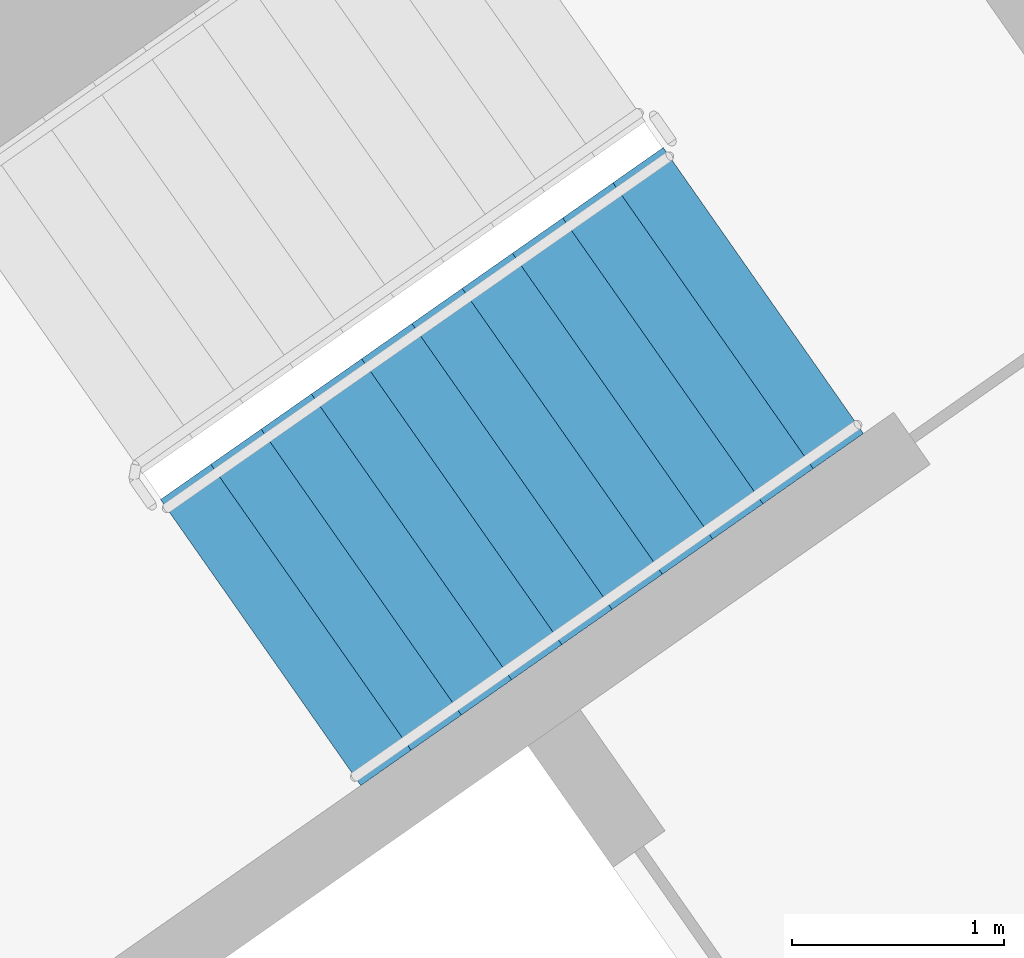
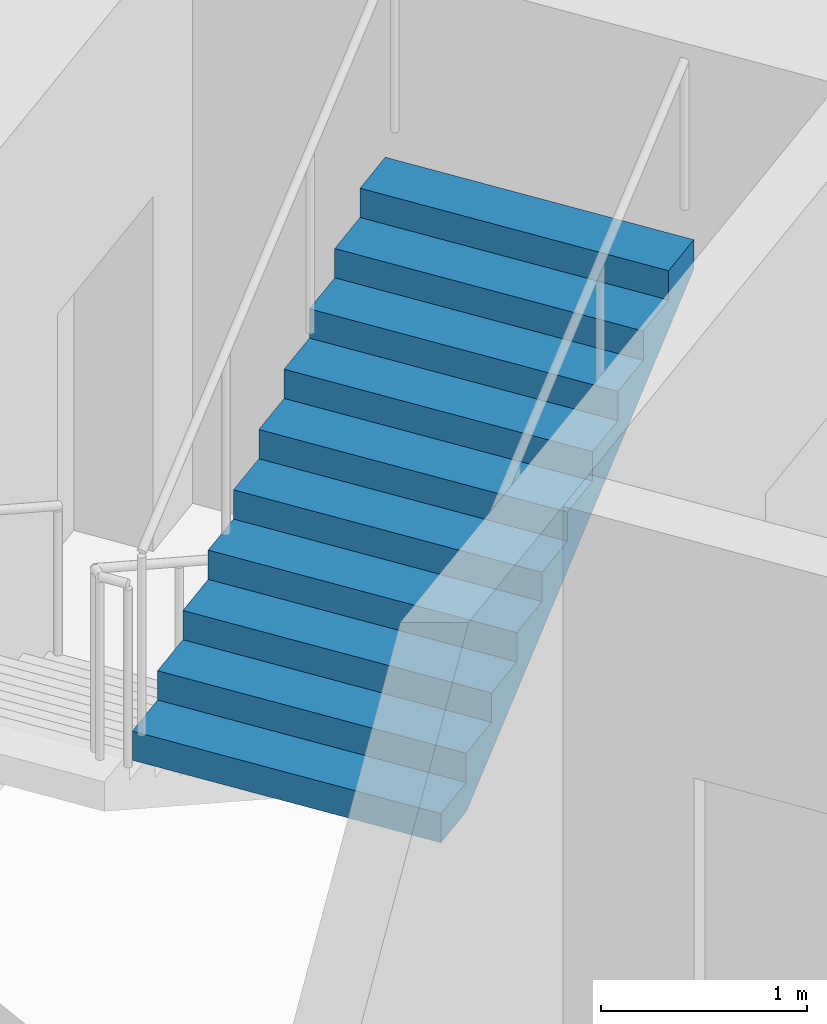
# One storey, part 18 of 30: 1 stair flight, 1 element without a shape of its own.
"""IFC4 building model written with IfcOpenShell, lengths in metres."""

from ifc_helpers import new_model, si_unit, direction, frame, origin, place, context, subcontext, project, spatial, faceted_brep, material, type_object, element, aggregate, save


model = new_model("IFC4")

# Units and contexts
model_context = context("Model", 3, precision=1e-05, world=origin(), true_north=direction((0.0, 1.0)))
body_context = subcontext(model_context, "Body", "Model", "MODEL_VIEW")
ifc_project = project(units=[si_unit("LENGTHUNIT", "METRE"), si_unit("AREAUNIT", "SQUARE_METRE"), si_unit("VOLUMEUNIT", "CUBIC_METRE"), si_unit("PLANEANGLEUNIT", "RADIAN"), si_unit("MASSUNIT", "GRAM", prefix="KILO")], contexts=[model_context])

# Site, building, storey
site_placement = place(None, origin())
site = spatial("IfcSite", under=ifc_project, at=site_placement, CompositionType="ELEMENT")
building_placement = place(site_placement, origin())
building = spatial("IfcBuilding", under=site, at=building_placement, Name="Qamariyya Broadcast Tower", CompositionType="ELEMENT")
storey_placement = place(building_placement, frame((0.0, 0.0, 125.300048828125)))
storey = spatial("IfcBuildingStorey", under=building, at=storey_placement, Name="L28", CompositionType="ELEMENT", Elevation=125.300048828125)

# Stair, stair flight
ifc_material = material(Name="Concrete C50/60", Category="concrete")
stair_type = type_object("IfcStairType", Name="Exit stair 22 risers of 173 mm", PredefinedType="HALF_TURN_STAIR", material=ifc_material)
stair_placement = place(storey_placement, origin())
stair = element("IfcStair", 1, at=stair_placement, inside=storey, type_object=stair_type, Name="L28 Stair E2", PredefinedType="HALF_TURN_STAIR")
stair_flight_type = type_object("IfcStairFlightType", Name="Exit stair flight 11 risers of 173 mm", PredefinedType="STRAIGHT", material=ifc_material)
stair_flight_placement = place(storey_placement, frame((39.215576171875, -50.822998046875, 1.89990234375), z_axis=(0.0, 0.0, 1.0), x_axis=(0.819152044289, 0.573576436351, 0.0)))
stair_flight = element("IfcStairFlight", 2, at=stair_flight_placement, type_object=stair_flight_type, Name="ST-E2 flight 2", NumberOfRisers=11, NumberOfTreads=10, PredefinedType="STRAIGHT", RiserHeight=0.172727273, TreadLength=0.29, context=body_context, shape_type="Brep", body=[
    faceted_brep([(0.0, 0.824951171875, 0.0), (0.0, 0.824951171875, 0.172607421875), (0.2900390625, 0.824951171875, 0.172607421875), (0.2900390625, 0.824951171875, 0.345458984375), (0.580078125, 0.824951171875, 0.345458984375), (0.580078125, 0.824951171875, 0.51806640625), (0.8701171875, 0.824951171875, 0.51806640625), (0.8701171875, 0.824951171875, 0.69091796875), (1.159912109375, 0.824951171875, 0.69091796875), (1.159912109375, 0.824951171875, 0.863525390625), (1.449951171875, 0.824951171875, 0.863525390625), (1.449951171875, 0.824951171875, 1.036376953125), (1.739990234375, 0.824951171875, 1.036376953125), (1.739990234375, 0.824951171875, 1.208984375), (2.030029296875, 0.824951171875, 1.208984375), (2.030029296875, 0.824951171875, 1.3818359375), (2.320068359375, 0.824951171875, 1.3818359375), (2.320068359375, 0.824951171875, 1.554443359375), (2.610107421875, 0.824951171875, 1.554443359375), (2.610107421875, 0.824951171875, 1.727294921875), (2.89990234375, 0.824951171875, 1.727294921875), (2.89990234375, 0.824951171875, 1.552734375), (0.29296875, 0.824951171875, 0.0), (0.29296875, -0.824951171875, 0.0), (2.89990234375, -0.824951171875, 1.552734375), (2.89990234375, -0.824951171875, 1.727294921875), (2.610107421875, -0.824951171875, 1.727294921875), (2.610107421875, -0.824951171875, 1.554443359375), (2.320068359375, -0.824951171875, 1.554443359375), (2.320068359375, -0.824951171875, 1.3818359375), (2.030029296875, -0.824951171875, 1.3818359375), (2.030029296875, -0.824951171875, 1.208984375), (1.739990234375, -0.824951171875, 1.208984375), (1.739990234375, -0.824951171875, 1.036376953125), (1.449951171875, -0.824951171875, 1.036376953125), (1.449951171875, -0.824951171875, 0.863525390625), (1.159912109375, -0.824951171875, 0.863525390625), (1.159912109375, -0.824951171875, 0.69091796875), (0.8701171875, -0.824951171875, 0.69091796875), (0.8701171875, -0.824951171875, 0.51806640625), (0.580078125, -0.824951171875, 0.51806640625), (0.580078125, -0.824951171875, 0.345458984375), (0.2900390625, -0.824951171875, 0.345458984375), (0.2900390625, -0.824951171875, 0.172607421875), (0.0, -0.824951171875, 0.172607421875), (0.0, -0.824951171875, 0.0), (0.0, 0.10009765625, 0.0), (0.0, 0.086669921875, 0.0), (0.0, 0.0732421875, 0.0), (0.0, 0.06005859375, 0.0), (0.0, 0.046630859375, 0.0), (0.0, 0.033447265625, 0.0), (0.0, 0.02001953125, 0.0), (0.0, 0.006591796875, 0.0), (0.0, -0.006591796875, 0.0), (0.0, -0.02001953125, 0.0), (0.0, -0.033447265625, 0.0), (0.0, -0.046630859375, 0.0), (0.0, -0.06005859375, 0.0), (0.0, -0.0732421875, 0.0), (0.0, -0.086669921875, 0.0), (0.0, -0.10009765625, 0.0), (0.0, -0.10009765625, 0.172607421875), (0.0, -0.086669921875, 0.172607421875), (0.0, -0.0732421875, 0.172607421875), (0.0, -0.06005859375, 0.172607421875), (0.0, -0.046630859375, 0.172607421875), (0.0, -0.033447265625, 0.172607421875), (0.0, -0.02001953125, 0.172607421875), (0.0, -0.006591796875, 0.172607421875), (0.0, 0.006591796875, 0.172607421875), (0.0, 0.02001953125, 0.172607421875), (0.0, 0.033447265625, 0.172607421875), (0.0, 0.046630859375, 0.172607421875), (0.0, 0.06005859375, 0.172607421875), (0.0, 0.0732421875, 0.172607421875), (0.0, 0.086669921875, 0.172607421875), (0.0, 0.10009765625, 0.172607421875), (0.2900390625, -0.10009765625, 0.172607421875), (0.2900390625, -0.086669921875, 0.172607421875), (0.2900390625, -0.0732421875, 0.172607421875), (0.2900390625, -0.06005859375, 0.172607421875), (0.2900390625, -0.046630859375, 0.172607421875), (0.2900390625, -0.033447265625, 0.172607421875), (0.2900390625, -0.02001953125, 0.172607421875), (0.2900390625, -0.006591796875, 0.172607421875), (0.2900390625, 0.006591796875, 0.172607421875), (0.2900390625, 0.02001953125, 0.172607421875), (0.2900390625, 0.033447265625, 0.172607421875), (0.2900390625, 0.046630859375, 0.172607421875), (0.2900390625, 0.06005859375, 0.172607421875), (0.2900390625, 0.0732421875, 0.172607421875), (0.2900390625, 0.086669921875, 0.172607421875), (0.2900390625, 0.10009765625, 0.172607421875), (0.2900390625, -0.10009765625, 0.345458984375), (0.2900390625, -0.086669921875, 0.345458984375), (0.2900390625, -0.0732421875, 0.345458984375), (0.2900390625, -0.06005859375, 0.345458984375), (0.2900390625, -0.046630859375, 0.345458984375), (0.2900390625, -0.033447265625, 0.345458984375), (0.2900390625, -0.02001953125, 0.345458984375), (0.2900390625, -0.006591796875, 0.345458984375), (0.2900390625, 0.006591796875, 0.345458984375), (0.2900390625, 0.02001953125, 0.345458984375), (0.2900390625, 0.033447265625, 0.345458984375), (0.2900390625, 0.046630859375, 0.345458984375), (0.2900390625, 0.06005859375, 0.345458984375), (0.2900390625, 0.0732421875, 0.345458984375), (0.2900390625, 0.086669921875, 0.345458984375), (0.2900390625, 0.10009765625, 0.345458984375), (0.580078125, -0.10009765625, 0.345458984375), (0.580078125, -0.086669921875, 0.345458984375), (0.580078125, -0.0732421875, 0.345458984375), (0.580078125, -0.06005859375, 0.345458984375), (0.580078125, -0.046630859375, 0.345458984375), (0.580078125, -0.033447265625, 0.345458984375), (0.580078125, -0.02001953125, 0.345458984375), (0.580078125, -0.006591796875, 0.345458984375), (0.580078125, 0.006591796875, 0.345458984375), (0.580078125, 0.02001953125, 0.345458984375), (0.580078125, 0.033447265625, 0.345458984375), (0.580078125, 0.046630859375, 0.345458984375), (0.580078125, 0.06005859375, 0.345458984375), (0.580078125, 0.0732421875, 0.345458984375), (0.580078125, 0.086669921875, 0.345458984375), (0.580078125, 0.10009765625, 0.345458984375), (0.580078125, -0.10009765625, 0.51806640625), (0.580078125, -0.086669921875, 0.51806640625), (0.580078125, -0.0732421875, 0.51806640625), (0.580078125, -0.06005859375, 0.51806640625), (0.580078125, -0.046630859375, 0.51806640625), (0.580078125, -0.033447265625, 0.51806640625), (0.580078125, -0.02001953125, 0.51806640625), (0.580078125, -0.006591796875, 0.51806640625), (0.580078125, 0.006591796875, 0.51806640625), (0.580078125, 0.02001953125, 0.51806640625), (0.580078125, 0.033447265625, 0.51806640625), (0.580078125, 0.046630859375, 0.51806640625), (0.580078125, 0.06005859375, 0.51806640625), (0.580078125, 0.0732421875, 0.51806640625), (0.580078125, 0.086669921875, 0.51806640625), (0.580078125, 0.10009765625, 0.51806640625), (0.8701171875, -0.10009765625, 0.51806640625), (0.8701171875, -0.086669921875, 0.51806640625), (0.8701171875, -0.0732421875, 0.51806640625), (0.8701171875, -0.06005859375, 0.51806640625), (0.8701171875, -0.046630859375, 0.51806640625), (0.8701171875, -0.033447265625, 0.51806640625), (0.8701171875, -0.02001953125, 0.51806640625), (0.8701171875, -0.006591796875, 0.51806640625), (0.8701171875, 0.006591796875, 0.51806640625), (0.8701171875, 0.02001953125, 0.51806640625), (0.8701171875, 0.033447265625, 0.51806640625), (0.8701171875, 0.046630859375, 0.51806640625), (0.8701171875, 0.06005859375, 0.51806640625), (0.8701171875, 0.0732421875, 0.51806640625), (0.8701171875, 0.086669921875, 0.51806640625), (0.8701171875, 0.10009765625, 0.51806640625), (0.8701171875, -0.10009765625, 0.69091796875), (0.8701171875, -0.086669921875, 0.69091796875), (0.8701171875, -0.0732421875, 0.69091796875), (0.8701171875, -0.06005859375, 0.69091796875), (0.8701171875, -0.046630859375, 0.69091796875), (0.8701171875, -0.033447265625, 0.69091796875), (0.8701171875, -0.02001953125, 0.69091796875), (0.8701171875, -0.006591796875, 0.69091796875), (0.8701171875, 0.006591796875, 0.69091796875), (0.8701171875, 0.02001953125, 0.69091796875), (0.8701171875, 0.033447265625, 0.69091796875), (0.8701171875, 0.046630859375, 0.69091796875), (0.8701171875, 0.06005859375, 0.69091796875), (0.8701171875, 0.0732421875, 0.69091796875), (0.8701171875, 0.086669921875, 0.69091796875), (0.8701171875, 0.10009765625, 0.69091796875), (1.159912109375, -0.10009765625, 0.69091796875), (1.159912109375, -0.086669921875, 0.69091796875), (1.159912109375, -0.0732421875, 0.69091796875), (1.159912109375, -0.06005859375, 0.69091796875), (1.159912109375, -0.046630859375, 0.69091796875), (1.159912109375, -0.033447265625, 0.69091796875), (1.159912109375, -0.02001953125, 0.69091796875), (1.159912109375, -0.006591796875, 0.69091796875), (1.159912109375, 0.006591796875, 0.69091796875), (1.159912109375, 0.02001953125, 0.69091796875), (1.159912109375, 0.033447265625, 0.69091796875), (1.159912109375, 0.046630859375, 0.69091796875), (1.159912109375, 0.06005859375, 0.69091796875), (1.159912109375, 0.0732421875, 0.69091796875), (1.159912109375, 0.086669921875, 0.69091796875), (1.159912109375, 0.10009765625, 0.69091796875), (1.159912109375, -0.10009765625, 0.863525390625), (1.159912109375, -0.086669921875, 0.863525390625), (1.159912109375, -0.0732421875, 0.863525390625), (1.159912109375, -0.06005859375, 0.863525390625), (1.159912109375, -0.046630859375, 0.863525390625), (1.159912109375, -0.033447265625, 0.863525390625), (1.159912109375, -0.02001953125, 0.863525390625), (1.159912109375, -0.006591796875, 0.863525390625), (1.159912109375, 0.006591796875, 0.863525390625), (1.159912109375, 0.02001953125, 0.863525390625), (1.159912109375, 0.033447265625, 0.863525390625), (1.159912109375, 0.046630859375, 0.863525390625), (1.159912109375, 0.06005859375, 0.863525390625), (1.159912109375, 0.0732421875, 0.863525390625), (1.159912109375, 0.086669921875, 0.863525390625), (1.159912109375, 0.10009765625, 0.863525390625), (1.449951171875, -0.10009765625, 0.863525390625), (1.449951171875, -0.086669921875, 0.863525390625), (1.449951171875, -0.0732421875, 0.863525390625), (1.449951171875, -0.06005859375, 0.863525390625), (1.449951171875, -0.046630859375, 0.863525390625), (1.449951171875, -0.033447265625, 0.863525390625), (1.449951171875, -0.02001953125, 0.863525390625), (1.449951171875, -0.006591796875, 0.863525390625), (1.449951171875, 0.006591796875, 0.863525390625), (1.449951171875, 0.02001953125, 0.863525390625), (1.449951171875, 0.033447265625, 0.863525390625), (1.449951171875, 0.046630859375, 0.863525390625), (1.449951171875, 0.06005859375, 0.863525390625), (1.449951171875, 0.0732421875, 0.863525390625), (1.449951171875, 0.086669921875, 0.863525390625), (1.449951171875, 0.10009765625, 0.863525390625), (1.449951171875, -0.10009765625, 1.036376953125), (1.449951171875, -0.086669921875, 1.036376953125), (1.449951171875, -0.0732421875, 1.036376953125), (1.449951171875, -0.06005859375, 1.036376953125), (1.449951171875, -0.046630859375, 1.036376953125), (1.449951171875, -0.033447265625, 1.036376953125), (1.449951171875, -0.02001953125, 1.036376953125), (1.449951171875, -0.006591796875, 1.036376953125), (1.449951171875, 0.006591796875, 1.036376953125), (1.449951171875, 0.02001953125, 1.036376953125), (1.449951171875, 0.033447265625, 1.036376953125), (1.449951171875, 0.046630859375, 1.036376953125), (1.449951171875, 0.06005859375, 1.036376953125), (1.449951171875, 0.0732421875, 1.036376953125), (1.449951171875, 0.086669921875, 1.036376953125), (1.449951171875, 0.10009765625, 1.036376953125), (1.739990234375, -0.10009765625, 1.036376953125), (1.739990234375, -0.086669921875, 1.036376953125), (1.739990234375, -0.0732421875, 1.036376953125), (1.739990234375, -0.06005859375, 1.036376953125), (1.739990234375, -0.046630859375, 1.036376953125), (1.739990234375, -0.033447265625, 1.036376953125), (1.739990234375, -0.02001953125, 1.036376953125), (1.739990234375, -0.006591796875, 1.036376953125), (1.739990234375, 0.006591796875, 1.036376953125), (1.739990234375, 0.02001953125, 1.036376953125), (1.739990234375, 0.033447265625, 1.036376953125), (1.739990234375, 0.046630859375, 1.036376953125), (1.739990234375, 0.06005859375, 1.036376953125), (1.739990234375, 0.0732421875, 1.036376953125), (1.739990234375, 0.086669921875, 1.036376953125), (1.739990234375, 0.10009765625, 1.036376953125), (1.739990234375, -0.10009765625, 1.208984375), (1.739990234375, -0.086669921875, 1.208984375), (1.739990234375, -0.0732421875, 1.208984375), (1.739990234375, -0.06005859375, 1.208984375), (1.739990234375, -0.046630859375, 1.208984375), (1.739990234375, -0.033447265625, 1.208984375), (1.739990234375, -0.02001953125, 1.208984375), (1.739990234375, -0.006591796875, 1.208984375), (1.739990234375, 0.006591796875, 1.208984375), (1.739990234375, 0.02001953125, 1.208984375), (1.739990234375, 0.033447265625, 1.208984375), (1.739990234375, 0.046630859375, 1.208984375), (1.739990234375, 0.06005859375, 1.208984375), (1.739990234375, 0.0732421875, 1.208984375), (1.739990234375, 0.086669921875, 1.208984375), (1.739990234375, 0.10009765625, 1.208984375), (2.030029296875, -0.10009765625, 1.208984375), (2.030029296875, -0.086669921875, 1.208984375), (2.030029296875, -0.0732421875, 1.208984375), (2.030029296875, -0.06005859375, 1.208984375), (2.030029296875, -0.046630859375, 1.208984375), (2.030029296875, -0.033447265625, 1.208984375), (2.030029296875, -0.02001953125, 1.208984375), (2.030029296875, -0.006591796875, 1.208984375), (2.030029296875, 0.006591796875, 1.208984375), (2.030029296875, 0.02001953125, 1.208984375), (2.030029296875, 0.033447265625, 1.208984375), (2.030029296875, 0.046630859375, 1.208984375), (2.030029296875, 0.06005859375, 1.208984375), (2.030029296875, 0.0732421875, 1.208984375), (2.030029296875, 0.086669921875, 1.208984375), (2.030029296875, 0.10009765625, 1.208984375), (2.030029296875, -0.10009765625, 1.3818359375), (2.030029296875, -0.086669921875, 1.3818359375), (2.030029296875, -0.0732421875, 1.3818359375), (2.030029296875, -0.06005859375, 1.3818359375), (2.030029296875, -0.046630859375, 1.3818359375), (2.030029296875, -0.033447265625, 1.3818359375), (2.030029296875, -0.02001953125, 1.3818359375), (2.030029296875, -0.006591796875, 1.3818359375), (2.030029296875, 0.006591796875, 1.3818359375), (2.030029296875, 0.02001953125, 1.3818359375), (2.030029296875, 0.033447265625, 1.3818359375), (2.030029296875, 0.046630859375, 1.3818359375), (2.030029296875, 0.06005859375, 1.3818359375), (2.030029296875, 0.0732421875, 1.3818359375), (2.030029296875, 0.086669921875, 1.3818359375), (2.030029296875, 0.10009765625, 1.3818359375), (2.320068359375, -0.10009765625, 1.3818359375), (2.320068359375, -0.086669921875, 1.3818359375), (2.320068359375, -0.0732421875, 1.3818359375), (2.320068359375, -0.06005859375, 1.3818359375), (2.320068359375, -0.046630859375, 1.3818359375), (2.320068359375, -0.033447265625, 1.3818359375), (2.320068359375, -0.02001953125, 1.3818359375), (2.320068359375, -0.006591796875, 1.3818359375), (2.320068359375, 0.006591796875, 1.3818359375), (2.320068359375, 0.02001953125, 1.3818359375), (2.320068359375, 0.033447265625, 1.3818359375), (2.320068359375, 0.046630859375, 1.3818359375), (2.320068359375, 0.06005859375, 1.3818359375), (2.320068359375, 0.0732421875, 1.3818359375), (2.320068359375, 0.086669921875, 1.3818359375), (2.320068359375, 0.10009765625, 1.3818359375), (2.320068359375, -0.10009765625, 1.554443359375), (2.320068359375, -0.086669921875, 1.554443359375), (2.320068359375, -0.0732421875, 1.554443359375), (2.320068359375, -0.06005859375, 1.554443359375), (2.320068359375, -0.046630859375, 1.554443359375), (2.320068359375, -0.033447265625, 1.554443359375), (2.320068359375, -0.02001953125, 1.554443359375), (2.320068359375, -0.006591796875, 1.554443359375), (2.320068359375, 0.006591796875, 1.554443359375), (2.320068359375, 0.02001953125, 1.554443359375), (2.320068359375, 0.033447265625, 1.554443359375), (2.320068359375, 0.046630859375, 1.554443359375), (2.320068359375, 0.06005859375, 1.554443359375), (2.320068359375, 0.0732421875, 1.554443359375), (2.320068359375, 0.086669921875, 1.554443359375), (2.320068359375, 0.10009765625, 1.554443359375), (2.610107421875, -0.10009765625, 1.554443359375), (2.610107421875, -0.086669921875, 1.554443359375), (2.610107421875, -0.0732421875, 1.554443359375), (2.610107421875, -0.06005859375, 1.554443359375), (2.610107421875, -0.046630859375, 1.554443359375), (2.610107421875, -0.033447265625, 1.554443359375), (2.610107421875, -0.02001953125, 1.554443359375), (2.610107421875, -0.006591796875, 1.554443359375), (2.610107421875, 0.006591796875, 1.554443359375), (2.610107421875, 0.02001953125, 1.554443359375), (2.610107421875, 0.033447265625, 1.554443359375), (2.610107421875, 0.046630859375, 1.554443359375), (2.610107421875, 0.06005859375, 1.554443359375), (2.610107421875, 0.0732421875, 1.554443359375), (2.610107421875, 0.086669921875, 1.554443359375), (2.610107421875, 0.10009765625, 1.554443359375), (2.610107421875, -0.10009765625, 1.727294921875), (2.610107421875, -0.086669921875, 1.727294921875), (2.610107421875, -0.0732421875, 1.727294921875), (2.610107421875, -0.06005859375, 1.727294921875), (2.610107421875, -0.046630859375, 1.727294921875), (2.610107421875, -0.033447265625, 1.727294921875), (2.610107421875, -0.02001953125, 1.727294921875), (2.610107421875, -0.006591796875, 1.727294921875), (2.610107421875, 0.006591796875, 1.727294921875), (2.610107421875, 0.02001953125, 1.727294921875), (2.610107421875, 0.033447265625, 1.727294921875), (2.610107421875, 0.046630859375, 1.727294921875), (2.610107421875, 0.06005859375, 1.727294921875), (2.610107421875, 0.0732421875, 1.727294921875), (2.610107421875, 0.086669921875, 1.727294921875), (2.610107421875, 0.10009765625, 1.727294921875), (2.89990234375, -0.10009765625, 1.727294921875), (2.89990234375, -0.086669921875, 1.727294921875), (2.89990234375, -0.0732421875, 1.727294921875), (2.89990234375, -0.06005859375, 1.727294921875), (2.89990234375, -0.046630859375, 1.727294921875), (2.89990234375, -0.033447265625, 1.727294921875), (2.89990234375, -0.02001953125, 1.727294921875), (2.89990234375, -0.006591796875, 1.727294921875), (2.89990234375, 0.006591796875, 1.727294921875), (2.89990234375, 0.02001953125, 1.727294921875), (2.89990234375, 0.033447265625, 1.727294921875), (2.89990234375, 0.046630859375, 1.727294921875), (2.89990234375, 0.06005859375, 1.727294921875), (2.89990234375, 0.0732421875, 1.727294921875), (2.89990234375, 0.086669921875, 1.727294921875), (2.89990234375, 0.10009765625, 1.727294921875), (2.89990234375, -0.10009765625, 1.552734375), (2.89990234375, -0.086669921875, 1.552734375), (2.89990234375, -0.0732421875, 1.552734375), (2.89990234375, -0.06005859375, 1.552734375), (2.89990234375, -0.046630859375, 1.552734375), (2.89990234375, -0.033447265625, 1.552734375), (2.89990234375, -0.02001953125, 1.552734375), (2.89990234375, -0.006591796875, 1.552734375), (2.89990234375, 0.006591796875, 1.552734375), (2.89990234375, 0.02001953125, 1.552734375), (2.89990234375, 0.033447265625, 1.552734375), (2.89990234375, 0.046630859375, 1.552734375), (2.89990234375, 0.06005859375, 1.552734375), (2.89990234375, 0.0732421875, 1.552734375), (2.89990234375, 0.086669921875, 1.552734375), (2.89990234375, 0.10009765625, 1.552734375), (0.29296875, -0.10009765625, 0.0), (0.29296875, -0.086669921875, 0.0), (0.29296875, -0.0732421875, 0.0), (0.29296875, -0.06005859375, 0.0), (0.29296875, -0.046630859375, 0.0), (0.29296875, -0.033447265625, 0.0), (0.29296875, -0.02001953125, 0.0), (0.29296875, -0.006591796875, 0.0), (0.29296875, 0.006591796875, 0.0), (0.29296875, 0.02001953125, 0.0), (0.29296875, 0.033447265625, 0.0), (0.29296875, 0.046630859375, 0.0), (0.29296875, 0.06005859375, 0.0), (0.29296875, 0.0732421875, 0.0), (0.29296875, 0.086669921875, 0.0), (0.29296875, 0.10009765625, 0.0)], [[[0, 1, 2, 3, 4, 5, 6, 7, 8, 9, 10, 11, 12, 13, 14, 15, 16, 17, 18, 19, 20, 21, 22]], [[23, 24, 25, 26, 27, 28, 29, 30, 31, 32, 33, 34, 35, 36, 37, 38, 39, 40, 41, 42, 43, 44, 45]], [[0, 46, 47, 48, 49, 50, 51, 52, 53, 54, 55, 56, 57, 58, 59, 60, 61, 45, 44, 62, 63, 64, 65, 66, 67, 68, 69, 70, 71, 72, 73, 74, 75, 76, 77, 1]], [[1, 77, 76, 75, 74, 73, 72, 71, 70, 69, 68, 67, 66, 65, 64, 63, 62, 44, 43, 78, 79, 80, 81, 82, 83, 84, 85, 86, 87, 88, 89, 90, 91, 92, 93, 2]], [[2, 93, 92, 91, 90, 89, 88, 87, 86, 85, 84, 83, 82, 81, 80, 79, 78, 43, 42, 94, 95, 96, 97, 98, 99, 100, 101, 102, 103, 104, 105, 106, 107, 108, 109, 3]], [[3, 109, 108, 107, 106, 105, 104, 103, 102, 101, 100, 99, 98, 97, 96, 95, 94, 42, 41, 110, 111, 112, 113, 114, 115, 116, 117, 118, 119, 120, 121, 122, 123, 124, 125, 4]], [[4, 125, 124, 123, 122, 121, 120, 119, 118, 117, 116, 115, 114, 113, 112, 111, 110, 41, 40, 126, 127, 128, 129, 130, 131, 132, 133, 134, 135, 136, 137, 138, 139, 140, 141, 5]], [[5, 141, 140, 139, 138, 137, 136, 135, 134, 133, 132, 131, 130, 129, 128, 127, 126, 40, 39, 142, 143, 144, 145, 146, 147, 148, 149, 150, 151, 152, 153, 154, 155, 156, 157, 6]], [[6, 157, 156, 155, 154, 153, 152, 151, 150, 149, 148, 147, 146, 145, 144, 143, 142, 39, 38, 158, 159, 160, 161, 162, 163, 164, 165, 166, 167, 168, 169, 170, 171, 172, 173, 7]], [[7, 173, 172, 171, 170, 169, 168, 167, 166, 165, 164, 163, 162, 161, 160, 159, 158, 38, 37, 174, 175, 176, 177, 178, 179, 180, 181, 182, 183, 184, 185, 186, 187, 188, 189, 8]], [[8, 189, 188, 187, 186, 185, 184, 183, 182, 181, 180, 179, 178, 177, 176, 175, 174, 37, 36, 190, 191, 192, 193, 194, 195, 196, 197, 198, 199, 200, 201, 202, 203, 204, 205, 9]], [[9, 205, 204, 203, 202, 201, 200, 199, 198, 197, 196, 195, 194, 193, 192, 191, 190, 36, 35, 206, 207, 208, 209, 210, 211, 212, 213, 214, 215, 216, 217, 218, 219, 220, 221, 10]], [[10, 221, 220, 219, 218, 217, 216, 215, 214, 213, 212, 211, 210, 209, 208, 207, 206, 35, 34, 222, 223, 224, 225, 226, 227, 228, 229, 230, 231, 232, 233, 234, 235, 236, 237, 11]], [[11, 237, 236, 235, 234, 233, 232, 231, 230, 229, 228, 227, 226, 225, 224, 223, 222, 34, 33, 238, 239, 240, 241, 242, 243, 244, 245, 246, 247, 248, 249, 250, 251, 252, 253, 12]], [[12, 253, 252, 251, 250, 249, 248, 247, 246, 245, 244, 243, 242, 241, 240, 239, 238, 33, 32, 254, 255, 256, 257, 258, 259, 260, 261, 262, 263, 264, 265, 266, 267, 268, 269, 13]], [[13, 269, 268, 267, 266, 265, 264, 263, 262, 261, 260, 259, 258, 257, 256, 255, 254, 32, 31, 270, 271, 272, 273, 274, 275, 276, 277, 278, 279, 280, 281, 282, 283, 284, 285, 14]], [[14, 285, 284, 283, 282, 281, 280, 279, 278, 277, 276, 275, 274, 273, 272, 271, 270, 31, 30, 286, 287, 288, 289, 290, 291, 292, 293, 294, 295, 296, 297, 298, 299, 300, 301, 15]], [[15, 301, 300, 299, 298, 297, 296, 295, 294, 293, 292, 291, 290, 289, 288, 287, 286, 30, 29, 302, 303, 304, 305, 306, 307, 308, 309, 310, 311, 312, 313, 314, 315, 316, 317, 16]], [[16, 317, 316, 315, 314, 313, 312, 311, 310, 309, 308, 307, 306, 305, 304, 303, 302, 29, 28, 318, 319, 320, 321, 322, 323, 324, 325, 326, 327, 328, 329, 330, 331, 332, 333, 17]], [[17, 333, 332, 331, 330, 329, 328, 327, 326, 325, 324, 323, 322, 321, 320, 319, 318, 28, 27, 334, 335, 336, 337, 338, 339, 340, 341, 342, 343, 344, 345, 346, 347, 348, 349, 18]], [[18, 349, 348, 347, 346, 345, 344, 343, 342, 341, 340, 339, 338, 337, 336, 335, 334, 27, 26, 350, 351, 352, 353, 354, 355, 356, 357, 358, 359, 360, 361, 362, 363, 364, 365, 19]], [[19, 365, 364, 363, 362, 361, 360, 359, 358, 357, 356, 355, 354, 353, 352, 351, 350, 26, 25, 366, 367, 368, 369, 370, 371, 372, 373, 374, 375, 376, 377, 378, 379, 380, 381, 20]], [[20, 381, 380, 379, 378, 377, 376, 375, 374, 373, 372, 371, 370, 369, 368, 367, 366, 25, 24, 382, 383, 384, 385, 386, 387, 388, 389, 390, 391, 392, 393, 394, 395, 396, 397, 21]], [[21, 397, 396, 395, 394, 393, 392, 391, 390, 389, 388, 387, 386, 385, 384, 383, 382, 24, 23, 398, 399, 400, 401, 402, 403, 404, 405, 406, 407, 408, 409, 410, 411, 412, 413, 22]], [[22, 413, 412, 411, 410, 409, 408, 407, 406, 405, 404, 403, 402, 401, 400, 399, 398, 23, 45, 61, 60, 59, 58, 57, 56, 55, 54, 53, 52, 51, 50, 49, 48, 47, 46, 0]]]),
])
aggregate(stair, [stair_flight])

save(model, "model.ifc")
